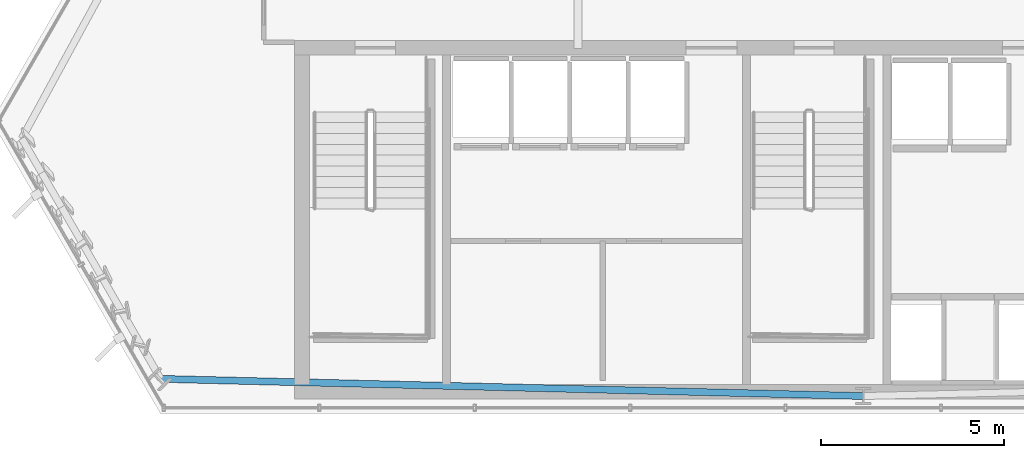
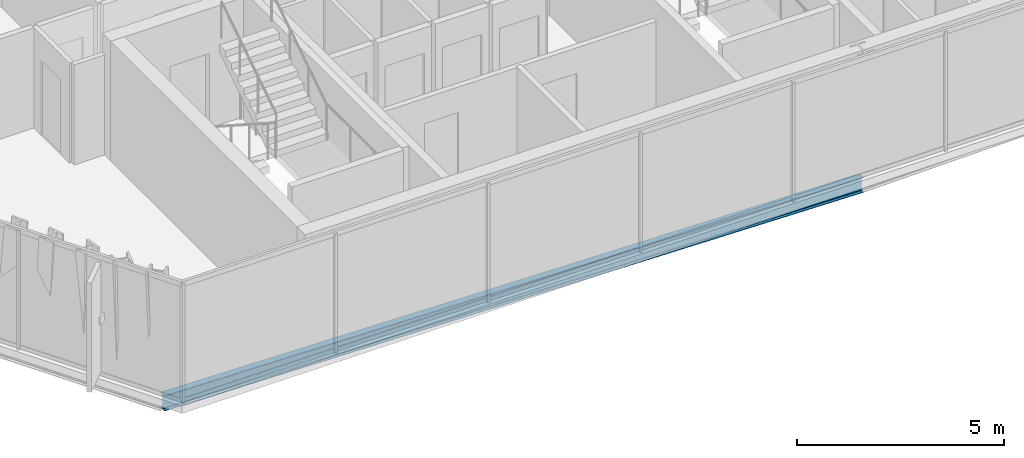
# One storey, part 3 of 34: 1 beam.
"""IFC4 building model written with IfcOpenShell, lengths in metres."""

from ifc_helpers import new_model, si_unit, direction, frame, origin, origin_2d, place, context, subcontext, project, spatial, i_section, extrude, material, material_profile, profile_set, type_object, element, save


model = new_model("IFC4")

# Units and contexts
model_context = context("Model", 3, precision=1e-05, world=origin(), true_north=direction((0.0, 1.0)))
body_context = subcontext(model_context, "Body", "Model", "MODEL_VIEW")
ifc_project = project(units=[si_unit("LENGTHUNIT", "METRE"), si_unit("AREAUNIT", "SQUARE_METRE"), si_unit("VOLUMEUNIT", "CUBIC_METRE"), si_unit("PLANEANGLEUNIT", "RADIAN"), si_unit("MASSUNIT", "GRAM", prefix="KILO")], contexts=[model_context])

# Site, building, storey
site_placement = place(None, origin())
site = spatial("IfcSite", under=ifc_project, at=site_placement, CompositionType="ELEMENT")
building_placement = place(site_placement, origin())
building = spatial("IfcBuilding", under=site, at=building_placement, Name="Ndaravel Arena Tower", CompositionType="ELEMENT")
storey_placement = place(building_placement, frame((0.0, 0.0, 199.199951171875)))
storey = spatial("IfcBuildingStorey", under=building, at=storey_placement, Name="L48", CompositionType="ELEMENT", Elevation=199.199951171875)

# Beam
ifc_material = material(Name="Steel S355", Category="steel")
ifc_material_profile = material_profile(ifc_material, i_section(OverallWidth=0.18994140625, OverallDepth=0.449951171875, WebThickness=0.009521484375, FlangeThickness=0.0146484375, FilletRadius=0.02099609375, at=origin_2d()), Name="IPE 450")
ifc_profile_set = profile_set([ifc_material_profile], Name="Steel S355")
beam_type = type_object("IfcBeamType", Name="BM-SPAN-IPE450", PredefinedType="SPANDREL", material=ifc_profile_set)
beam_placement = place(storey_placement, frame((22.784912109375, 5.94970703125, -0.445068359375), z_axis=(0.999701337361, -0.02443841399, 0.0), x_axis=(0.02443841399, 0.999701337361, 0.0)))
element("IfcBeam", 1, at=beam_placement, inside=storey, type_object=beam_type, Name="L48 Perimeter Spandrel Beam SP-27", PredefinedType="SPANDREL", context=body_context, shape_type="SweptSolid", body=[
    extrude(i_section(OverallWidth=0.18994140625, OverallDepth=0.449951171875, WebThickness=0.009521484375, FlangeThickness=0.0146484375, FilletRadius=0.02099609375, at=origin_2d()), origin(), (0.0, 0.0, 1.0), 19.220947265625),
])

save(model, "model.ifc")
